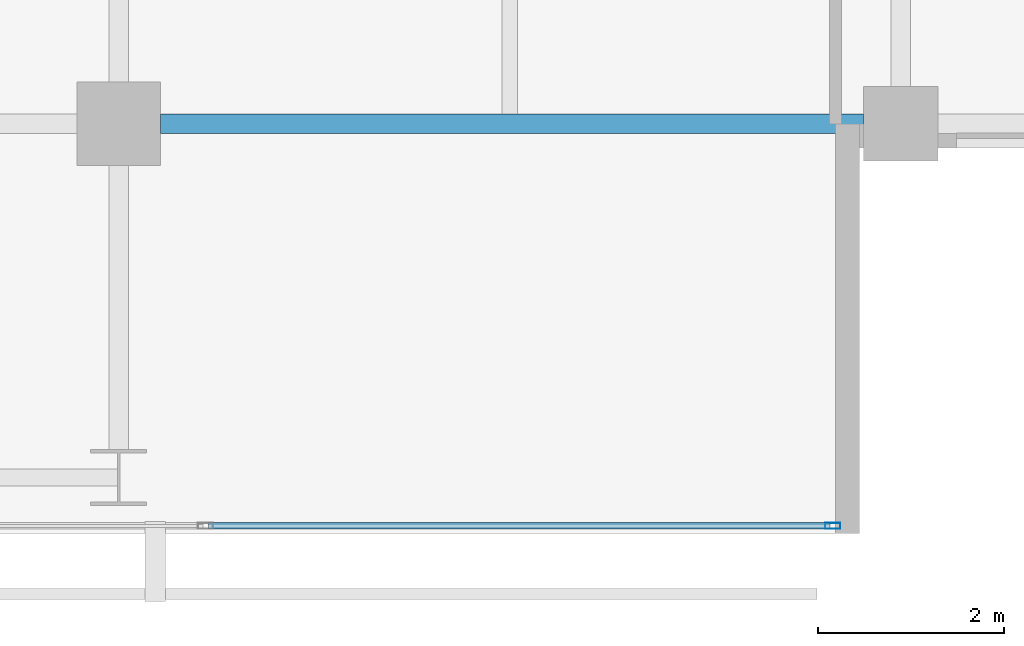
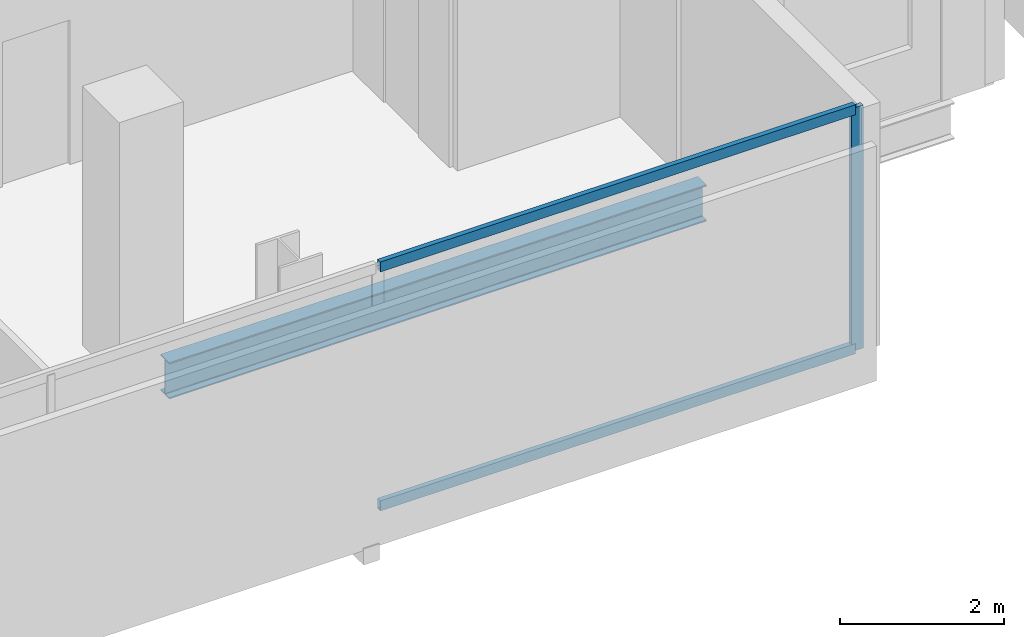
# One storey, part 13 of 32: 3 members, 1 beam, 1 element without a shape of its own.
"""IFC4 building model written with IfcOpenShell, lengths in metres."""

from ifc_helpers import new_model, si_unit, direction, frame, origin, origin_2d, place, context, subcontext, project, spatial, hollow_rectangle, i_section, extrude, material, layer, layer_set, material_profile, profile_set, type_object, element, aggregate, save


model = new_model("IFC4")

# Units and contexts
model_context = context("Model", 3, precision=1e-05, world=origin(), true_north=direction((0.0, 1.0)))
body_context = subcontext(model_context, "Body", "Model", "MODEL_VIEW")
ifc_project = project(units=[si_unit("LENGTHUNIT", "METRE"), si_unit("AREAUNIT", "SQUARE_METRE"), si_unit("VOLUMEUNIT", "CUBIC_METRE"), si_unit("PLANEANGLEUNIT", "RADIAN"), si_unit("MASSUNIT", "GRAM", prefix="KILO")], contexts=[model_context])

# Site, building, storey
site_placement = place(None, origin())
site = spatial("IfcSite", under=ifc_project, at=site_placement, CompositionType="ELEMENT")
building_placement = place(site_placement, origin())
building = spatial("IfcBuilding", under=site, at=building_placement, Name="Maruvema Waterfront Hotel and Observation Tower", CompositionType="ELEMENT")
storey_placement = place(building_placement, frame((0.0, 0.0, 219.800048828125)))
storey = spatial("IfcBuildingStorey", under=building, at=storey_placement, Name="L54", CompositionType="ELEMENT", Elevation=219.800048828125)

# Curtain wall, members
ifc_material_1 = material(Name="Anodised bronze aluminium and solar-control low-E IGU", Category="aluminium")
ifc_layer = layer(ifc_material_1, 0.159912109375, Name="Zone 2 Amber Inner Thermal Curtain Wall System CW-03")
ifc_layer_set = layer_set([ifc_layer], Name="Anodised bronze aluminium and solar-control low-E IGU")
curtain_wall_type = type_object("IfcCurtainWallType", Name="Zone 2 Amber Inner Thermal Curtain Wall System CW-03", PredefinedType="USERDEFINED", material=ifc_layer_set)
curtain_wall_placement = place(storey_placement, origin())
curtain_wall = element("IfcCurtainWall", 1, at=curtain_wall_placement, inside=storey, type_object=curtain_wall_type, Name="L54 Curtain Wall CW-L54-S", ObjectType="UNITISED CURTAIN WALL", PredefinedType="USERDEFINED")
ifc_material_2 = material(Name="Anodised architectural bronze aluminium", Category="aluminium")
ifc_material_profile_1 = material_profile(ifc_material_2, hollow_rectangle(XDim=0.070068359375, YDim=0.14990234375, WallThickness=0.00390625, at=origin_2d()), Name="ALU-T70x150")
ifc_profile_set_1 = profile_set([ifc_material_profile_1], Name="Anodised architectural bronze aluminium")
member_type_1 = type_object("IfcMemberType", Name="Curtain Wall Horizontal Transom ALU-T70x150", PredefinedType="USERDEFINED", material=ifc_profile_set_1)
member_1_placement = place(storey_placement, frame((51.36328125, 4.679931640625, 0.030029296875), z_axis=(1.0, 0.0, 0.0), x_axis=(0.0, 1.0, 0.0)))
member_1 = element("IfcMember", 2, at=member_1_placement, type_object=member_type_1, Name="CW-03 transom 6.1", ObjectType="TRANSOM", PredefinedType="USERDEFINED", context=body_context, shape_type="SweptSolid", body=[
    extrude(hollow_rectangle(XDim=0.070068359375, YDim=0.14990234375, WallThickness=0.00390625, at=origin_2d()), origin(), (0.0, 0.0, 1.0), 6.6767578125),
])
member_2_placement = place(storey_placement, frame((51.36328125, 4.679931640625, 3.579833984375), z_axis=(1.0, 0.0, 0.0), x_axis=(0.0, 1.0, 0.0)))
member_2 = element("IfcMember", 3, at=member_2_placement, type_object=member_type_1, Name="CW-03 transom 6.2", ObjectType="TRANSOM", PredefinedType="USERDEFINED", context=body_context, shape_type="SweptSolid", body=[
    extrude(hollow_rectangle(XDim=0.070068359375, YDim=0.14990234375, WallThickness=0.00390625, at=origin_2d()), origin(), (0.0, 0.0, 1.0), 6.6767578125),
])
ifc_material_3 = material(Name="Anodised architectural bronze aluminium", Category="aluminium")
ifc_material_profile_2 = material_profile(ifc_material_3, hollow_rectangle(XDim=0.06494140625, YDim=0.1650390625, WallThickness=0.00390625, at=origin_2d()), Name="ALU-M65x165")
ifc_profile_set_2 = profile_set([ifc_material_profile_2], Name="Anodised architectural bronze aluminium")
member_type_2 = type_object("IfcMemberType", Name="Curtain Wall Primary Mullion ALU-M65x165", PredefinedType="MULLION", material=ifc_profile_set_2)
member_3_placement = place(storey_placement, frame((58.070068359375, 4.679931640625, 0.0), z_axis=(0.0, 0.0, 1.0), x_axis=(0.0, 1.0, 0.0)))
member_3 = element("IfcMember", 4, at=member_3_placement, type_object=member_type_2, Name="CW-03 mullion 7", PredefinedType="MULLION", context=body_context, shape_type="SweptSolid", body=[
    extrude(hollow_rectangle(XDim=0.06494140625, YDim=0.1650390625, WallThickness=0.00390625, at=origin_2d()), origin(), (0.0, 0.0, 1.0), 3.60986328125),
])
aggregate(curtain_wall, [member_3, member_1, member_2])

# Beam
ifc_material_4 = material(Name="Steel ASTM A572 Grade 50", Category="steel")
ifc_material_profile_3 = material_profile(ifc_material_4, i_section(OverallWidth=0.2109375, OverallDepth=0.5390625, WebThickness=0.01171875, FlangeThickness=0.018798828125, FilletRadius=0.014892578125, at=origin_2d()), Name="W530x109.0")
ifc_profile_set_3 = profile_set([ifc_material_profile_3], Name="Steel ASTM A572 Grade 50")
beam_type = type_object("IfcBeamType", Name="Primary Floor Girder W530x109.0", PredefinedType="BEAM", material=ifc_profile_set_3)
beam_placement = place(storey_placement, frame((50.85009765625, 9.0, -0.509521484375), z_axis=(1.0, 0.0, 0.0), x_axis=(0.0, 1.0, 0.0)))
element("IfcBeam", 5, at=beam_placement, inside=storey, type_object=beam_type, Name="L54 Floor Girder EW-09", PredefinedType="BEAM", context=body_context, shape_type="SweptSolid", body=[
    extrude(i_section(OverallWidth=0.2109375, OverallDepth=0.5390625, WebThickness=0.01171875, FlangeThickness=0.018798828125, FilletRadius=0.014892578125, at=origin_2d()), origin(), (0.0, 0.0, 1.0), 7.5498046875),
])

save(model, "model.ifc")
